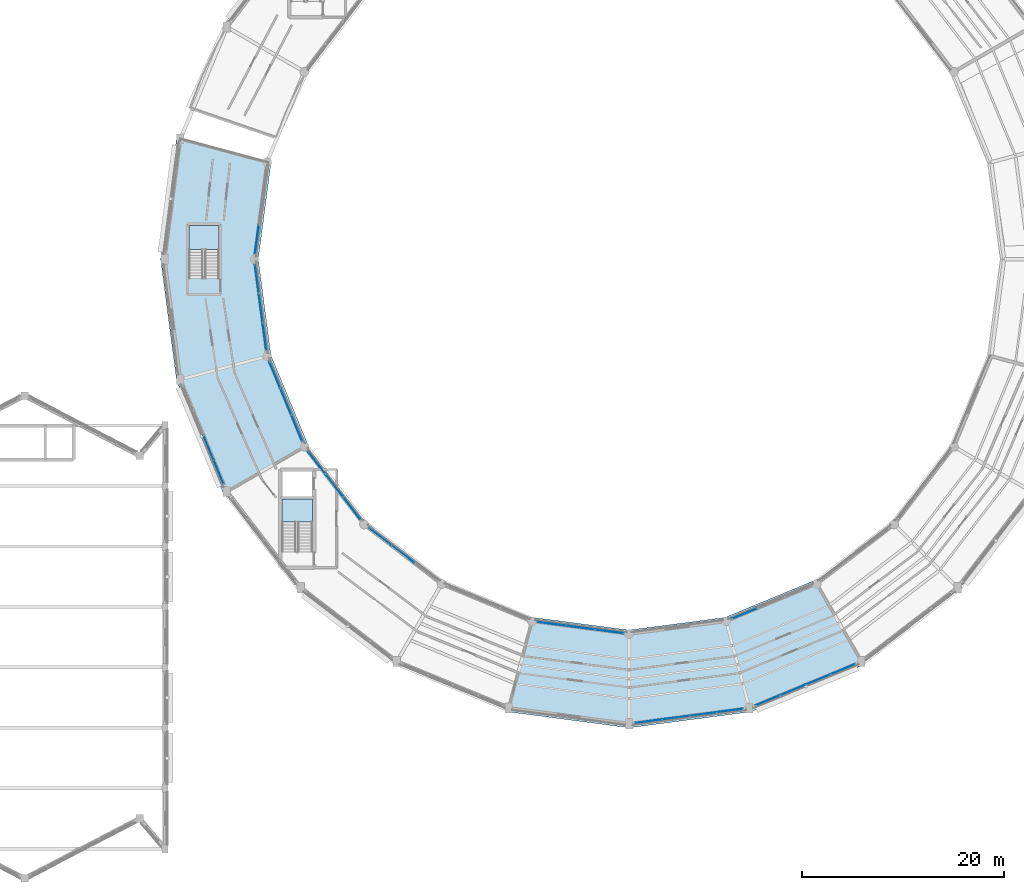
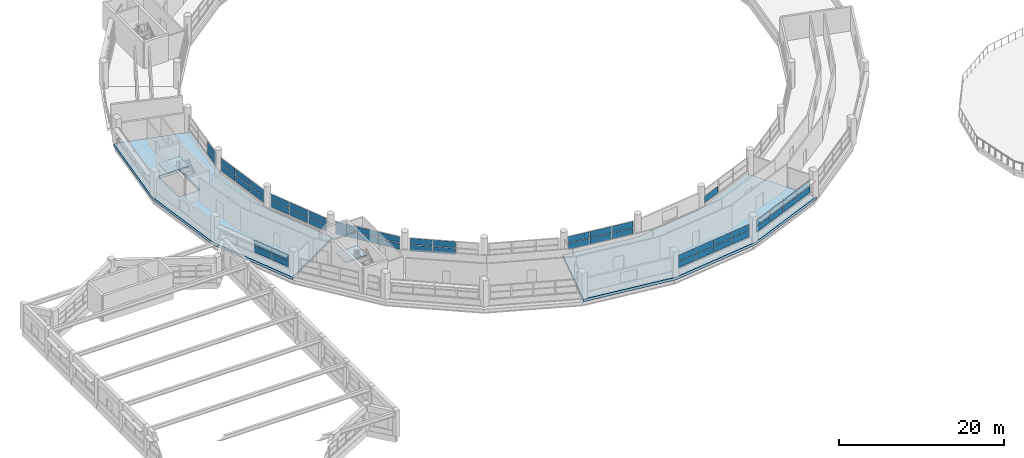
# One storey, part 85 of 108: 51 plates, 4 slabs, 12 elements without a shape of their own.
"""IFC4 building model written with IfcOpenShell, lengths in metres."""

from ifc_helpers import new_model, si_unit, direction, frame, origin, origin_2d, place, context, subcontext, project, spatial, polyline, rectangle, outline, extrude, material, layer, layer_set, type_object, element, aggregate, save


model = new_model("IFC4")

# Units and contexts
model_context = context("Model", 3, precision=1e-05, world=origin(), true_north=direction((0.0, 1.0)))
body_context = subcontext(model_context, "Body", "Model", "MODEL_VIEW")
ifc_project = project(units=[si_unit("LENGTHUNIT", "METRE"), si_unit("AREAUNIT", "SQUARE_METRE"), si_unit("VOLUMEUNIT", "CUBIC_METRE"), si_unit("PLANEANGLEUNIT", "RADIAN"), si_unit("MASSUNIT", "GRAM", prefix="KILO")], contexts=[model_context])

# Site, building, storey
site_placement = place(None, origin())
site = spatial("IfcSite", under=ifc_project, at=site_placement, CompositionType="ELEMENT")
building_placement = place(site_placement, origin())
building = spatial("IfcBuilding", under=site, at=building_placement, Name="Vespera Passage Community Centre", CompositionType="ELEMENT")
storey_placement = place(building_placement, frame((0.0, 0.0, 12.60009765625)))
storey = spatial("IfcBuildingStorey", under=building, at=storey_placement, Name="L03", CompositionType="ELEMENT", Elevation=12.60009765625)

# Curtain wall, plates
ifc_material_1 = material(Name="Anodized aluminium 6063-T6", Category="aluminium")
ifc_layer_1 = layer(ifc_material_1, 0.159912109375)
ifc_layer_set_1 = layer_set([ifc_layer_1], Name="Anodized aluminium 6063-T6")
curtain_wall_type_1 = type_object("IfcCurtainWallType", Name="CW-48E", PredefinedType="NOTDEFINED", material=ifc_layer_set_1)
curtain_wall_1_placement = place(storey_placement, origin())
curtain_wall_1 = element("IfcCurtainWall", 1, at=curtain_wall_1_placement, inside=storey, type_object=curtain_wall_type_1, Name="V4 L03 Inner Court Curtain Wall 12", PredefinedType="NOTDEFINED")
ifc_material_2 = material(Name="Low-E insulated vision glass", Category="glass")
ifc_layer_2 = layer(ifc_material_2, 0.02001953125)
ifc_layer_set_2 = layer_set([ifc_layer_2], Name="Low-E insulated vision glass")
plate_type_1 = type_object("IfcPlateType", Name="PL-CWP-20E", PredefinedType="CURTAIN_PANEL", material=ifc_layer_set_2)
plate_1_placement = place(storey_placement, frame((41.058837890625, 63.53466796875, 0.919921875), z_axis=(0.0, 0.0, 1.0), x_axis=(0.1305221941, -0.991445387728, 0.0)))
plate_1 = element("IfcPlate", 2, at=plate_1_placement, type_object=plate_type_1, Name="CW-48E panel 1.1", PredefinedType="CURTAIN_PANEL", context=body_context, shape_type="SweptSolid", body=[
    extrude(rectangle(XDim=2.779541015625, YDim=0.02001953125, at=origin_2d()), origin(), (0.0, 0.0, 1.0), 0.874755859375),
])
plate_2_placement = place(storey_placement, frame((41.058837890625, 63.53466796875, 1.89453125), z_axis=(0.0, 0.0, 1.0), x_axis=(0.1305221941, -0.991445387728, 0.0)))
plate_2 = element("IfcPlate", 3, at=plate_2_placement, type_object=plate_type_1, Name="CW-48E panel 1.2", PredefinedType="CURTAIN_PANEL", context=body_context, shape_type="SweptSolid", body=[
    extrude(rectangle(XDim=2.779541015625, YDim=0.02001953125, at=origin_2d()), origin(), (0.0, 0.0, 1.0), 0.874755859375),
])
plate_3_placement = place(storey_placement, frame((41.433837890625, 60.68603515625, 0.919921875), z_axis=(0.0, 0.0, 1.0), x_axis=(0.1305221941, -0.991445387728, 0.0)))
plate_3 = element("IfcPlate", 4, at=plate_3_placement, type_object=plate_type_1, Name="CW-48E panel 2.1", PredefinedType="CURTAIN_PANEL", context=body_context, shape_type="SweptSolid", body=[
    extrude(rectangle(XDim=2.81689453125, YDim=0.02001953125, at=origin_2d()), origin(), (0.0, 0.0, 1.0), 0.874755859375),
])
plate_4_placement = place(storey_placement, frame((41.433837890625, 60.68603515625, 1.89453125), z_axis=(0.0, 0.0, 1.0), x_axis=(0.1305221941, -0.991445387728, 0.0)))
plate_4 = element("IfcPlate", 5, at=plate_4_placement, type_object=plate_type_1, Name="CW-48E panel 2.2", PredefinedType="CURTAIN_PANEL", context=body_context, shape_type="SweptSolid", body=[
    extrude(rectangle(XDim=2.81689453125, YDim=0.02001953125, at=origin_2d()), origin(), (0.0, 0.0, 1.0), 0.874755859375),
])
plate_5_placement = place(storey_placement, frame((41.808837890625, 57.83740234375, 0.919921875), z_axis=(0.0, 0.0, 1.0), x_axis=(0.1305221941, -0.991445387728, 0.0)))
plate_5 = element("IfcPlate", 6, at=plate_5_placement, type_object=plate_type_1, Name="CW-48E panel 3.1", PredefinedType="CURTAIN_PANEL", context=body_context, shape_type="SweptSolid", body=[
    extrude(rectangle(XDim=2.779541015625, YDim=0.02001953125, at=origin_2d()), origin(), (0.0, 0.0, 1.0), 0.874755859375),
])
plate_6_placement = place(storey_placement, frame((41.808837890625, 57.83740234375, 1.89453125), z_axis=(0.0, 0.0, 1.0), x_axis=(0.1305221941, -0.991445387728, 0.0)))
plate_6 = element("IfcPlate", 7, at=plate_6_placement, type_object=plate_type_1, Name="CW-48E panel 3.2", PredefinedType="CURTAIN_PANEL", context=body_context, shape_type="SweptSolid", body=[
    extrude(rectangle(XDim=2.779541015625, YDim=0.02001953125, at=origin_2d()), origin(), (0.0, 0.0, 1.0), 0.874755859375),
])
aggregate(curtain_wall_1, [plate_1, plate_2, plate_3, plate_4, plate_5, plate_6])

ifc_material_3 = material(Name="Anodized aluminium 6063-T6", Category="aluminium")
ifc_layer_3 = layer(ifc_material_3, 0.159912109375)
ifc_layer_set_3 = layer_set([ifc_layer_3], Name="Anodized aluminium 6063-T6")
curtain_wall_type_2 = type_object("IfcCurtainWallType", Name="CW-38E", PredefinedType="NOTDEFINED", material=ifc_layer_set_3)
curtain_wall_2_placement = place(storey_placement, origin())
curtain_wall_2 = element("IfcCurtainWall", 8, at=curtain_wall_2_placement, inside=storey, type_object=curtain_wall_type_2, Name="V4 L03 Inner Court Curtain Wall 15", PredefinedType="NOTDEFINED")
plate_7_placement = place(storey_placement, frame((53.308349609375, 37.958251953125, 0.8798828125), z_axis=(0.0, 0.0, 1.0), x_axis=(0.793358205999, -0.608755087843, 0.0)))
plate_7 = element("IfcPlate", 9, at=plate_7_placement, type_object=plate_type_1, Name="CW-38E panel 1.1", PredefinedType="CURTAIN_PANEL", context=body_context, shape_type="SweptSolid", body=[
    extrude(rectangle(XDim=2.72900390625, YDim=0.02001953125, at=origin_2d()), origin(), (0.0, 0.0, 1.0), 0.934814453125),
])
plate_8_placement = place(storey_placement, frame((53.308349609375, 37.958251953125, 1.87451171875), z_axis=(0.0, 0.0, 1.0), x_axis=(0.793358205999, -0.608755087843, 0.0)))
plate_8 = element("IfcPlate", 10, at=plate_8_placement, type_object=plate_type_1, Name="CW-38E panel 1.2", PredefinedType="CURTAIN_PANEL", context=body_context, shape_type="SweptSolid", body=[
    extrude(rectangle(XDim=2.72900390625, YDim=0.02001953125, at=origin_2d()), origin(), (0.0, 0.0, 1.0), 0.934814453125),
])
plate_9_placement = place(storey_placement, frame((55.5478515625, 36.23974609375, 0.8798828125), z_axis=(0.0, 0.0, 1.0), x_axis=(0.793358205999, -0.608755087843, 0.0)))
plate_9 = element("IfcPlate", 11, at=plate_9_placement, type_object=plate_type_1, Name="CW-38E panel 2.1", PredefinedType="CURTAIN_PANEL", context=body_context, shape_type="SweptSolid", body=[
    extrude(rectangle(XDim=2.7666015625, YDim=0.02001953125, at=origin_2d()), origin(), (0.0, 0.0, 1.0), 0.934814453125),
])
plate_10_placement = place(storey_placement, frame((55.5478515625, 36.23974609375, 1.87451171875), z_axis=(0.0, 0.0, 1.0), x_axis=(0.793358205999, -0.608755087843, 0.0)))
plate_10 = element("IfcPlate", 12, at=plate_10_placement, type_object=plate_type_1, Name="CW-38E panel 2.2", PredefinedType="CURTAIN_PANEL", context=body_context, shape_type="SweptSolid", body=[
    extrude(rectangle(XDim=2.7666015625, YDim=0.02001953125, at=origin_2d()), origin(), (0.0, 0.0, 1.0), 0.934814453125),
])
aggregate(curtain_wall_2, [plate_7, plate_8, plate_9, plate_10])

ifc_material_4 = material(Name="Anodized aluminium 6063-T6", Category="aluminium")
ifc_layer_4 = layer(ifc_material_4, 0.159912109375)
ifc_layer_set_4 = layer_set([ifc_layer_4], Name="Anodized aluminium 6063-T6")
curtain_wall_type_3 = type_object("IfcCurtainWallType", Name="CW-43E", PredefinedType="NOTDEFINED", material=ifc_layer_set_4)
curtain_wall_3_placement = place(storey_placement, origin())
curtain_wall_3 = element("IfcCurtainWall", 13, at=curtain_wall_3_placement, inside=storey, type_object=curtain_wall_type_3, Name="V4 L03 Outer Ribbon Curtain Wall 18", PredefinedType="NOTDEFINED")
plate_11_placement = place(storey_placement, frame((87.98291015625, 20.71435546875, 0.8798828125), z_axis=(0.0, 0.0, 1.0), x_axis=(-0.991444252276, -0.130530818696, 0.0)))
plate_11 = element("IfcPlate", 14, at=plate_11_placement, type_object=plate_type_1, Name="CW-43E panel 1.1", PredefinedType="CURTAIN_PANEL", context=body_context, shape_type="SweptSolid", body=[
    extrude(rectangle(XDim=2.614501953125, YDim=0.02001953125, at=origin_2d()), origin(), (0.0, 0.0, 1.0), 0.892822265625),
])
plate_12_placement = place(storey_placement, frame((87.98291015625, 20.71435546875, 1.83251953125), z_axis=(0.0, 0.0, 1.0), x_axis=(-0.991444252276, -0.130530818696, 0.0)))
plate_12 = element("IfcPlate", 15, at=plate_12_placement, type_object=plate_type_1, Name="CW-43E panel 1.2", PredefinedType="CURTAIN_PANEL", context=body_context, shape_type="SweptSolid", body=[
    extrude(rectangle(XDim=2.614501953125, YDim=0.02001953125, at=origin_2d()), origin(), (0.0, 0.0, 1.0), 0.892822265625),
])
plate_13_placement = place(storey_placement, frame((85.310302734375, 20.3623046875, 0.8798828125), z_axis=(0.0, 0.0, 1.0), x_axis=(-0.991444252276, -0.130530818696, 0.0)))
plate_13 = element("IfcPlate", 16, at=plate_13_placement, type_object=plate_type_1, Name="CW-43E panel 2.1", PredefinedType="CURTAIN_PANEL", context=body_context, shape_type="SweptSolid", body=[
    extrude(rectangle(XDim=2.64697265625, YDim=0.02001953125, at=origin_2d()), origin(), (0.0, 0.0, 1.0), 0.892822265625),
])
plate_14_placement = place(storey_placement, frame((85.310302734375, 20.3623046875, 1.83251953125), z_axis=(0.0, 0.0, 1.0), x_axis=(-0.991444252276, -0.130530818696, 0.0)))
plate_14 = element("IfcPlate", 17, at=plate_14_placement, type_object=plate_type_1, Name="CW-43E panel 2.2", PredefinedType="CURTAIN_PANEL", context=body_context, shape_type="SweptSolid", body=[
    extrude(rectangle(XDim=2.64697265625, YDim=0.02001953125, at=origin_2d()), origin(), (0.0, 0.0, 1.0), 0.892822265625),
])
plate_15_placement = place(storey_placement, frame((82.621337890625, 20.00830078125, 0.8798828125), z_axis=(0.0, 0.0, 1.0), x_axis=(-0.991444252276, -0.130530818696, 0.0)))
plate_15 = element("IfcPlate", 18, at=plate_15_placement, type_object=plate_type_1, Name="CW-43E panel 3.1", PredefinedType="CURTAIN_PANEL", context=body_context, shape_type="SweptSolid", body=[
    extrude(rectangle(XDim=2.64697265625, YDim=0.02001953125, at=origin_2d()), origin(), (0.0, 0.0, 1.0), 0.892822265625),
])
plate_16_placement = place(storey_placement, frame((82.621337890625, 20.00830078125, 1.83251953125), z_axis=(0.0, 0.0, 1.0), x_axis=(-0.991444252276, -0.130530818696, 0.0)))
plate_16 = element("IfcPlate", 19, at=plate_16_placement, type_object=plate_type_1, Name="CW-43E panel 3.2", PredefinedType="CURTAIN_PANEL", context=body_context, shape_type="SweptSolid", body=[
    extrude(rectangle(XDim=2.64697265625, YDim=0.02001953125, at=origin_2d()), origin(), (0.0, 0.0, 1.0), 0.892822265625),
])
plate_17_placement = place(storey_placement, frame((79.94873046875, 19.656494140625, 0.8798828125), z_axis=(0.0, 0.0, 1.0), x_axis=(-0.991444252276, -0.130530818696, 0.0)))
plate_17 = element("IfcPlate", 20, at=plate_17_placement, type_object=plate_type_1, Name="CW-43E panel 4.1", PredefinedType="CURTAIN_PANEL", context=body_context, shape_type="SweptSolid", body=[
    extrude(rectangle(XDim=2.614501953125, YDim=0.02001953125, at=origin_2d()), origin(), (0.0, 0.0, 1.0), 0.892822265625),
])
plate_18_placement = place(storey_placement, frame((79.94873046875, 19.656494140625, 1.83251953125), z_axis=(0.0, 0.0, 1.0), x_axis=(-0.991444252276, -0.130530818696, 0.0)))
plate_18 = element("IfcPlate", 21, at=plate_18_placement, type_object=plate_type_1, Name="CW-43E panel 4.2", PredefinedType="CURTAIN_PANEL", context=body_context, shape_type="SweptSolid", body=[
    extrude(rectangle(XDim=2.614501953125, YDim=0.02001953125, at=origin_2d()), origin(), (0.0, 0.0, 1.0), 0.892822265625),
])
aggregate(curtain_wall_3, [plate_11, plate_12, plate_13, plate_14, plate_15, plate_16, plate_17, plate_18])

ifc_material_5 = material(Name="Anodized aluminium 6063-T6", Category="aluminium")
ifc_layer_5 = layer(ifc_material_5, 0.159912109375)
ifc_layer_set_5 = layer_set([ifc_layer_5], Name="Anodized aluminium 6063-T6")
curtain_wall_type_4 = type_object("IfcCurtainWallType", Name="CW-49E", PredefinedType="NOTDEFINED", material=ifc_layer_set_5)
curtain_wall_4_placement = place(storey_placement, origin())
curtain_wall_4 = element("IfcCurtainWall", 22, at=curtain_wall_4_placement, inside=storey, type_object=curtain_wall_type_4, Name="V4 L03 Outer Ribbon Curtain Wall 13", PredefinedType="NOTDEFINED")
ifc_material_6 = material(Name="Low-E insulated vision glass", Category="glass")
ifc_layer_6 = layer(ifc_material_6, 0.028076171875)
ifc_layer_set_6 = layer_set([ifc_layer_6], Name="Low-E insulated vision glass")
plate_type_2 = type_object("IfcPlateType", Name="PL-CWP-28E", PredefinedType="CURTAIN_PANEL", material=ifc_layer_set_6)
plate_19_placement = place(storey_placement, frame((37.2763671875, 44.381103515625, 0.919921875), z_axis=(0.0, 0.0, 1.0), x_axis=(-0.382679142535, 0.923881309405, 0.0)))
plate_19 = element("IfcPlate", 23, at=plate_19_placement, type_object=plate_type_2, Name="CW-49E panel 1.1", PredefinedType="CURTAIN_PANEL", context=body_context, shape_type="SweptSolid", body=[
    extrude(rectangle(XDim=2.51806640625, YDim=0.028076171875, at=origin_2d()), origin(), (0.0, 0.0, 1.0), 0.832763671875),
])
plate_20_placement = place(storey_placement, frame((37.2763671875, 44.381103515625, 1.8525390625), z_axis=(0.0, 0.0, 1.0), x_axis=(-0.382679142535, 0.923881309405, 0.0)))
plate_20 = element("IfcPlate", 24, at=plate_20_placement, type_object=plate_type_2, Name="CW-49E panel 1.2", PredefinedType="CURTAIN_PANEL", context=body_context, shape_type="SweptSolid", body=[
    extrude(rectangle(XDim=2.51806640625, YDim=0.028076171875, at=origin_2d()), origin(), (0.0, 0.0, 1.0), 0.832763671875),
])
plate_21_placement = place(storey_placement, frame((36.27685546875, 46.7939453125, 0.919921875), z_axis=(0.0, 0.0, 1.0), x_axis=(-0.382679142535, 0.923881309405, 0.0)))
plate_21 = element("IfcPlate", 25, at=plate_21_placement, type_object=plate_type_2, Name="CW-49E panel 2.1", PredefinedType="CURTAIN_PANEL", context=body_context, shape_type="SweptSolid", body=[
    extrude(rectangle(XDim=2.555419921875, YDim=0.028076171875, at=origin_2d()), origin(), (0.0, 0.0, 1.0), 0.832763671875),
])
plate_22_placement = place(storey_placement, frame((36.27685546875, 46.7939453125, 1.8525390625), z_axis=(0.0, 0.0, 1.0), x_axis=(-0.382679142535, 0.923881309405, 0.0)))
plate_22 = element("IfcPlate", 26, at=plate_22_placement, type_object=plate_type_2, Name="CW-49E panel 2.2", PredefinedType="CURTAIN_PANEL", context=body_context, shape_type="SweptSolid", body=[
    extrude(rectangle(XDim=2.555419921875, YDim=0.028076171875, at=origin_2d()), origin(), (0.0, 0.0, 1.0), 0.832763671875),
])
aggregate(curtain_wall_4, [plate_19, plate_20, plate_21, plate_22])

ifc_material_7 = material(Name="Anodized aluminium 6063-T6", Category="aluminium")
ifc_layer_7 = layer(ifc_material_7, 0.159912109375)
ifc_layer_set_7 = layer_set([ifc_layer_7], Name="Anodized aluminium 6063-T6")
curtain_wall_type_5 = type_object("IfcCurtainWallType", Name="CW-40E", PredefinedType="NOTDEFINED", material=ifc_layer_set_7)
curtain_wall_5_placement = place(storey_placement, origin())
curtain_wall_5 = element("IfcCurtainWall", 27, at=curtain_wall_5_placement, inside=storey, type_object=curtain_wall_type_5, Name="V4 L03 Inner Court Curtain Wall 13", PredefinedType="NOTDEFINED")
plate_23_placement = place(storey_placement, frame((42.831787109375, 54.02685546875, 0.8798828125), z_axis=(0.0, 0.0, 1.0), x_axis=(0.382690463482, -0.923876620096, 0.0)))
plate_23 = element("IfcPlate", 28, at=plate_23_placement, type_object=plate_type_2, Name="CW-40E panel 1.1", PredefinedType="CURTAIN_PANEL", context=body_context, shape_type="SweptSolid", body=[
    extrude(rectangle(XDim=2.7646484375, YDim=0.028076171875, at=origin_2d()), origin(), (0.0, 0.0, 1.0), 0.934814453125),
])
plate_24_placement = place(storey_placement, frame((42.831787109375, 54.02685546875, 1.87451171875), z_axis=(0.0, 0.0, 1.0), x_axis=(0.382690463482, -0.923876620096, 0.0)))
plate_24 = element("IfcPlate", 29, at=plate_24_placement, type_object=plate_type_2, Name="CW-40E panel 1.2", PredefinedType="CURTAIN_PANEL", context=body_context, shape_type="SweptSolid", body=[
    extrude(rectangle(XDim=2.7646484375, YDim=0.028076171875, at=origin_2d()), origin(), (0.0, 0.0, 1.0), 0.934814453125),
])
plate_25_placement = place(storey_placement, frame((43.92578125, 51.385986328125, 0.8798828125), z_axis=(0.0, 0.0, 1.0), x_axis=(0.382690463482, -0.923876620096, 0.0)))
plate_25 = element("IfcPlate", 30, at=plate_25_placement, type_object=plate_type_2, Name="CW-40E panel 2.1", PredefinedType="CURTAIN_PANEL", context=body_context, shape_type="SweptSolid", body=[
    extrude(rectangle(XDim=2.80224609375, YDim=0.028076171875, at=origin_2d()), origin(), (0.0, 0.0, 1.0), 0.934814453125),
])
plate_26_placement = place(storey_placement, frame((43.92578125, 51.385986328125, 1.87451171875), z_axis=(0.0, 0.0, 1.0), x_axis=(0.382690463482, -0.923876620096, 0.0)))
plate_26 = element("IfcPlate", 31, at=plate_26_placement, type_object=plate_type_2, Name="CW-40E panel 2.2", PredefinedType="CURTAIN_PANEL", context=body_context, shape_type="SweptSolid", body=[
    extrude(rectangle(XDim=2.80224609375, YDim=0.028076171875, at=origin_2d()), origin(), (0.0, 0.0, 1.0), 0.934814453125),
])
plate_27_placement = place(storey_placement, frame((45.019775390625, 48.7451171875, 0.8798828125), z_axis=(0.0, 0.0, 1.0), x_axis=(0.382690463482, -0.923876620096, 0.0)))
plate_27 = element("IfcPlate", 32, at=plate_27_placement, type_object=plate_type_2, Name="CW-40E panel 3.1", PredefinedType="CURTAIN_PANEL", context=body_context, shape_type="SweptSolid", body=[
    extrude(rectangle(XDim=2.7646484375, YDim=0.028076171875, at=origin_2d()), origin(), (0.0, 0.0, 1.0), 0.934814453125),
])
plate_28_placement = place(storey_placement, frame((45.019775390625, 48.7451171875, 1.87451171875), z_axis=(0.0, 0.0, 1.0), x_axis=(0.382690463482, -0.923876620096, 0.0)))
plate_28 = element("IfcPlate", 33, at=plate_28_placement, type_object=plate_type_2, Name="CW-40E panel 3.2", PredefinedType="CURTAIN_PANEL", context=body_context, shape_type="SweptSolid", body=[
    extrude(rectangle(XDim=2.7646484375, YDim=0.028076171875, at=origin_2d()), origin(), (0.0, 0.0, 1.0), 0.934814453125),
])
aggregate(curtain_wall_5, [plate_23, plate_24, plate_25, plate_26, plate_27, plate_28])

ifc_material_8 = material(Name="Anodized aluminium 6063-T6", Category="aluminium")
ifc_layer_8 = layer(ifc_material_8, 0.159912109375)
ifc_layer_set_8 = layer_set([ifc_layer_8], Name="Anodized aluminium 6063-T6")
curtain_wall_type_6 = type_object("IfcCurtainWallType", Name="CW-39E", PredefinedType="NOTDEFINED", material=ifc_layer_set_8)
curtain_wall_6_placement = place(storey_placement, origin())
curtain_wall_6 = element("IfcCurtainWall", 34, at=curtain_wall_6_placement, inside=storey, type_object=curtain_wall_type_6, Name="V4 L03 Outer Ribbon Curtain Wall 19", PredefinedType="NOTDEFINED")
plate_29_placement = place(storey_placement, frame((99.212646484375, 24.815185546875, 0.919921875), z_axis=(0.0, 0.0, 1.0), x_axis=(-0.923879738007, -0.382682936255, 0.0)))
plate_29 = element("IfcPlate", 35, at=plate_29_placement, type_object=plate_type_2, Name="CW-39E panel 1.1", PredefinedType="CURTAIN_PANEL", context=body_context, shape_type="SweptSolid", body=[
    extrude(rectangle(XDim=2.585693359375, YDim=0.028076171875, at=origin_2d()), origin(), (0.0, 0.0, 1.0), 0.832763671875),
])
plate_30_placement = place(storey_placement, frame((99.212646484375, 24.815185546875, 1.8525390625), z_axis=(0.0, 0.0, 1.0), x_axis=(-0.923879738007, -0.382682936255, 0.0)))
plate_30 = element("IfcPlate", 36, at=plate_30_placement, type_object=plate_type_2, Name="CW-39E panel 1.2", PredefinedType="CURTAIN_PANEL", context=body_context, shape_type="SweptSolid", body=[
    extrude(rectangle(XDim=2.585693359375, YDim=0.028076171875, at=origin_2d()), origin(), (0.0, 0.0, 1.0), 0.832763671875),
])
plate_31_placement = place(storey_placement, frame((96.7373046875, 23.789794921875, 0.919921875), z_axis=(0.0, 0.0, 1.0), x_axis=(-0.923879738007, -0.382682936255, 0.0)))
plate_31 = element("IfcPlate", 37, at=plate_31_placement, type_object=plate_type_2, Name="CW-39E panel 2.1", PredefinedType="CURTAIN_PANEL", context=body_context, shape_type="SweptSolid", body=[
    extrude(rectangle(XDim=2.623291015625, YDim=0.028076171875, at=origin_2d()), origin(), (0.0, 0.0, 1.0), 0.832763671875),
])
plate_32_placement = place(storey_placement, frame((96.7373046875, 23.789794921875, 1.8525390625), z_axis=(0.0, 0.0, 1.0), x_axis=(-0.923879738007, -0.382682936255, 0.0)))
plate_32 = element("IfcPlate", 38, at=plate_32_placement, type_object=plate_type_2, Name="CW-39E panel 2.2", PredefinedType="CURTAIN_PANEL", context=body_context, shape_type="SweptSolid", body=[
    extrude(rectangle(XDim=2.623291015625, YDim=0.028076171875, at=origin_2d()), origin(), (0.0, 0.0, 1.0), 0.832763671875),
])
plate_33_placement = place(storey_placement, frame((94.244384765625, 22.75732421875, 0.919921875), z_axis=(0.0, 0.0, 1.0), x_axis=(-0.923879738007, -0.382682936255, 0.0)))
plate_33 = element("IfcPlate", 39, at=plate_33_placement, type_object=plate_type_2, Name="CW-39E panel 3.1", PredefinedType="CURTAIN_PANEL", context=body_context, shape_type="SweptSolid", body=[
    extrude(rectangle(XDim=2.623291015625, YDim=0.028076171875, at=origin_2d()), origin(), (0.0, 0.0, 1.0), 0.832763671875),
])
plate_34_placement = place(storey_placement, frame((94.244384765625, 22.75732421875, 1.8525390625), z_axis=(0.0, 0.0, 1.0), x_axis=(-0.923879738007, -0.382682936255, 0.0)))
plate_34 = element("IfcPlate", 40, at=plate_34_placement, type_object=plate_type_2, Name="CW-39E panel 3.2", PredefinedType="CURTAIN_PANEL", context=body_context, shape_type="SweptSolid", body=[
    extrude(rectangle(XDim=2.623291015625, YDim=0.028076171875, at=origin_2d()), origin(), (0.0, 0.0, 1.0), 0.832763671875),
])
plate_35_placement = place(storey_placement, frame((91.76904296875, 21.73193359375, 0.919921875), z_axis=(0.0, 0.0, 1.0), x_axis=(-0.923879738007, -0.382682936255, 0.0)))
plate_35 = element("IfcPlate", 41, at=plate_35_placement, type_object=plate_type_2, Name="CW-39E panel 4.1", PredefinedType="CURTAIN_PANEL", context=body_context, shape_type="SweptSolid", body=[
    extrude(rectangle(XDim=2.585693359375, YDim=0.028076171875, at=origin_2d()), origin(), (0.0, 0.0, 1.0), 0.832763671875),
])
plate_36_placement = place(storey_placement, frame((91.76904296875, 21.73193359375, 1.8525390625), z_axis=(0.0, 0.0, 1.0), x_axis=(-0.923879738007, -0.382682936255, 0.0)))
plate_36 = element("IfcPlate", 42, at=plate_36_placement, type_object=plate_type_2, Name="CW-39E panel 4.2", PredefinedType="CURTAIN_PANEL", context=body_context, shape_type="SweptSolid", body=[
    extrude(rectangle(XDim=2.585693359375, YDim=0.028076171875, at=origin_2d()), origin(), (0.0, 0.0, 1.0), 0.832763671875),
])
aggregate(curtain_wall_6, [plate_29, plate_30, plate_31, plate_32, plate_33, plate_34, plate_35, plate_36])

# Curtain wall, plate
curtain_wall_7_placement = place(storey_placement, origin())
curtain_wall_7 = element("IfcCurtainWall", 43, at=curtain_wall_7_placement, inside=storey, type_object=curtain_wall_type_5, Name="V4 L03 Inner Court Curtain Wall 19", PredefinedType="NOTDEFINED")
plate_37_placement = place(storey_placement, frame((89.47314453125, 30.331787109375, 0.8798828125), z_axis=(0.0, 0.0, 1.0), x_axis=(0.923876620096, 0.382690463482, 0.0)))
plate_37 = element("IfcPlate", 44, at=plate_37_placement, type_object=plate_type_2, Name="CW-40E panel 1.1", PredefinedType="CURTAIN_PANEL", context=body_context, shape_type="SweptSolid", body=[
    extrude(rectangle(XDim=2.7646484375, YDim=0.028076171875, at=origin_2d()), origin(), (0.0, 0.0, 1.0), 0.934814453125),
])
aggregate(curtain_wall_7, [plate_37])

# Curtain wall, plates
ifc_material_9 = material(Name="Anodized aluminium 6063-T6", Category="aluminium")
ifc_layer_9 = layer(ifc_material_9, 0.159912109375)
ifc_layer_set_9 = layer_set([ifc_layer_9], Name="Anodized aluminium 6063-T6")
curtain_wall_type_7 = type_object("IfcCurtainWallType", Name="CW-42E", PredefinedType="NOTDEFINED", material=ifc_layer_set_9)
curtain_wall_8_placement = place(storey_placement, origin())
curtain_wall_8 = element("IfcCurtainWall", 45, at=curtain_wall_8_placement, inside=storey, type_object=curtain_wall_type_7, Name="V4 L03 Inner Court Curtain Wall 11", PredefinedType="NOTDEFINED")
ifc_material_10 = material(Name="Acoustic triple-glazed vision glass", Category="glass")
ifc_layer_10 = layer(ifc_material_10, 0.035888671875)
ifc_layer_set_10 = layer_set([ifc_layer_10], Name="Acoustic triple-glazed vision glass")
plate_type_3 = type_object("IfcPlateType", Name="PL-CWP-36E", PredefinedType="CURTAIN_PANEL", material=ifc_layer_set_10)
plate_38_placement = place(storey_placement, frame((41.058349609375, 67.462890625, 0.8798828125), z_axis=(0.0, 0.0, 1.0), x_axis=(-0.1305221941, -0.991445387728, 0.0)))
plate_38 = element("IfcPlate", 46, at=plate_38_placement, type_object=plate_type_3, Name="CW-42E panel 3.1", PredefinedType="CURTAIN_PANEL", context=body_context, shape_type="SweptSolid", body=[
    extrude(rectangle(XDim=2.79443359375, YDim=0.035888671875, at=origin_2d()), origin(), (0.0, 0.0, 1.0), 0.934814453125),
])
plate_39_placement = place(storey_placement, frame((41.058349609375, 67.462890625, 1.87451171875), z_axis=(0.0, 0.0, 1.0), x_axis=(-0.1305221941, -0.991445387728, 0.0)))
plate_39 = element("IfcPlate", 47, at=plate_39_placement, type_object=plate_type_3, Name="CW-42E panel 3.2", PredefinedType="CURTAIN_PANEL", context=body_context, shape_type="SweptSolid", body=[
    extrude(rectangle(XDim=2.79443359375, YDim=0.035888671875, at=origin_2d()), origin(), (0.0, 0.0, 1.0), 0.934814453125),
])
aggregate(curtain_wall_8, [plate_38, plate_39])

ifc_material_11 = material(Name="Anodized aluminium 6063-T6", Category="aluminium")
ifc_layer_11 = layer(ifc_material_11, 0.159912109375)
ifc_layer_set_11 = layer_set([ifc_layer_11], Name="Anodized aluminium 6063-T6")
curtain_wall_type_8 = type_object("IfcCurtainWallType", Name="CW-45E", PredefinedType="NOTDEFINED", material=ifc_layer_set_11)
curtain_wall_9_placement = place(storey_placement, origin())
curtain_wall_9 = element("IfcCurtainWall", 48, at=curtain_wall_9_placement, inside=storey, type_object=curtain_wall_type_8, Name="V4 L03 Inner Court Curtain Wall 14", PredefinedType="NOTDEFINED")
plate_40_placement = place(storey_placement, frame((47.019775390625, 45.289306640625, 0.919921875), z_axis=(0.0, 0.0, 1.0), x_axis=(0.608755087843, -0.793358205999, 0.0)))
plate_40 = element("IfcPlate", 49, at=plate_40_placement, type_object=plate_type_3, Name="CW-45E panel 1.1", PredefinedType="CURTAIN_PANEL", context=body_context, shape_type="SweptSolid", body=[
    extrude(rectangle(XDim=2.744140625, YDim=0.035888671875, at=origin_2d()), origin(), (0.0, 0.0, 1.0), 0.874755859375),
])
plate_41_placement = place(storey_placement, frame((47.019775390625, 45.289306640625, 1.89453125), z_axis=(0.0, 0.0, 1.0), x_axis=(0.608755087843, -0.793358205999, 0.0)))
plate_41 = element("IfcPlate", 50, at=plate_41_placement, type_object=plate_type_3, Name="CW-45E panel 1.2", PredefinedType="CURTAIN_PANEL", context=body_context, shape_type="SweptSolid", body=[
    extrude(rectangle(XDim=2.744140625, YDim=0.035888671875, at=origin_2d()), origin(), (0.0, 0.0, 1.0), 0.874755859375),
])
plate_42_placement = place(storey_placement, frame((48.73974609375, 43.0478515625, 0.919921875), z_axis=(0.0, 0.0, 1.0), x_axis=(0.608755087843, -0.793358205999, 0.0)))
plate_42 = element("IfcPlate", 51, at=plate_42_placement, type_object=plate_type_3, Name="CW-45E panel 2.1", PredefinedType="CURTAIN_PANEL", context=body_context, shape_type="SweptSolid", body=[
    extrude(rectangle(XDim=2.776611328125, YDim=0.035888671875, at=origin_2d()), origin(), (0.0, 0.0, 1.0), 0.874755859375),
])
plate_43_placement = place(storey_placement, frame((48.73974609375, 43.0478515625, 1.89453125), z_axis=(0.0, 0.0, 1.0), x_axis=(0.608755087843, -0.793358205999, 0.0)))
plate_43 = element("IfcPlate", 52, at=plate_43_placement, type_object=plate_type_3, Name="CW-45E panel 2.2", PredefinedType="CURTAIN_PANEL", context=body_context, shape_type="SweptSolid", body=[
    extrude(rectangle(XDim=2.776611328125, YDim=0.035888671875, at=origin_2d()), origin(), (0.0, 0.0, 1.0), 0.874755859375),
])
plate_44_placement = place(storey_placement, frame((50.459716796875, 40.806396484375, 0.919921875), z_axis=(0.0, 0.0, 1.0), x_axis=(0.608755087843, -0.793358205999, 0.0)))
plate_44 = element("IfcPlate", 53, at=plate_44_placement, type_object=plate_type_3, Name="CW-45E panel 3.1", PredefinedType="CURTAIN_PANEL", context=body_context, shape_type="SweptSolid", body=[
    extrude(rectangle(XDim=2.744140625, YDim=0.035888671875, at=origin_2d()), origin(), (0.0, 0.0, 1.0), 0.874755859375),
])
plate_45_placement = place(storey_placement, frame((50.459716796875, 40.806396484375, 1.89453125), z_axis=(0.0, 0.0, 1.0), x_axis=(0.608755087843, -0.793358205999, 0.0)))
plate_45 = element("IfcPlate", 54, at=plate_45_placement, type_object=plate_type_3, Name="CW-45E panel 3.2", PredefinedType="CURTAIN_PANEL", context=body_context, shape_type="SweptSolid", body=[
    extrude(rectangle(XDim=2.744140625, YDim=0.035888671875, at=origin_2d()), origin(), (0.0, 0.0, 1.0), 0.874755859375),
])
aggregate(curtain_wall_9, [plate_40, plate_41, plate_42, plate_43, plate_44, plate_45])

curtain_wall_10_placement = place(storey_placement, origin())
curtain_wall_10 = element("IfcCurtainWall", 55, at=curtain_wall_10_placement, inside=storey, type_object=curtain_wall_type_7, Name="V4 L03 Inner Court Curtain Wall 17", PredefinedType="NOTDEFINED")
plate_46_placement = place(storey_placement, frame((70.334716796875, 29.30908203125, 0.8798828125), z_axis=(0.0, 0.0, 1.0), x_axis=(0.991445387728, -0.1305221941, 0.0)))
plate_46 = element("IfcPlate", 56, at=plate_46_placement, type_object=plate_type_3, Name="CW-42E panel 1.1", PredefinedType="CURTAIN_PANEL", context=body_context, shape_type="SweptSolid", body=[
    extrude(rectangle(XDim=2.79443359375, YDim=0.035888671875, at=origin_2d()), origin(), (0.0, 0.0, 1.0), 0.934814453125),
])
plate_47_placement = place(storey_placement, frame((70.334716796875, 29.30908203125, 1.87451171875), z_axis=(0.0, 0.0, 1.0), x_axis=(0.991445387728, -0.1305221941, 0.0)))
plate_47 = element("IfcPlate", 57, at=plate_47_placement, type_object=plate_type_3, Name="CW-42E panel 1.2", PredefinedType="CURTAIN_PANEL", context=body_context, shape_type="SweptSolid", body=[
    extrude(rectangle(XDim=2.79443359375, YDim=0.035888671875, at=origin_2d()), origin(), (0.0, 0.0, 1.0), 0.934814453125),
])
plate_48_placement = place(storey_placement, frame((73.18603515625, 28.933837890625, 0.8798828125), z_axis=(0.0, 0.0, 1.0), x_axis=(0.991445387728, -0.1305221941, 0.0)))
plate_48 = element("IfcPlate", 58, at=plate_48_placement, type_object=plate_type_3, Name="CW-42E panel 2.1", PredefinedType="CURTAIN_PANEL", context=body_context, shape_type="SweptSolid", body=[
    extrude(rectangle(XDim=2.826904296875, YDim=0.035888671875, at=origin_2d()), origin(), (0.0, 0.0, 1.0), 0.934814453125),
])
plate_49_placement = place(storey_placement, frame((73.18603515625, 28.933837890625, 1.87451171875), z_axis=(0.0, 0.0, 1.0), x_axis=(0.991445387728, -0.1305221941, 0.0)))
plate_49 = element("IfcPlate", 59, at=plate_49_placement, type_object=plate_type_3, Name="CW-42E panel 2.2", PredefinedType="CURTAIN_PANEL", context=body_context, shape_type="SweptSolid", body=[
    extrude(rectangle(XDim=2.826904296875, YDim=0.035888671875, at=origin_2d()), origin(), (0.0, 0.0, 1.0), 0.934814453125),
])
plate_50_placement = place(storey_placement, frame((76.037109375, 28.558349609375, 0.8798828125), z_axis=(0.0, 0.0, 1.0), x_axis=(0.991445387728, -0.1305221941, 0.0)))
plate_50 = element("IfcPlate", 60, at=plate_50_placement, type_object=plate_type_3, Name="CW-42E panel 3.1", PredefinedType="CURTAIN_PANEL", context=body_context, shape_type="SweptSolid", body=[
    extrude(rectangle(XDim=2.79443359375, YDim=0.035888671875, at=origin_2d()), origin(), (0.0, 0.0, 1.0), 0.934814453125),
])
plate_51_placement = place(storey_placement, frame((76.037109375, 28.558349609375, 1.87451171875), z_axis=(0.0, 0.0, 1.0), x_axis=(0.991445387728, -0.1305221941, 0.0)))
plate_51 = element("IfcPlate", 61, at=plate_51_placement, type_object=plate_type_3, Name="CW-42E panel 3.2", PredefinedType="CURTAIN_PANEL", context=body_context, shape_type="SweptSolid", body=[
    extrude(rectangle(XDim=2.79443359375, YDim=0.035888671875, at=origin_2d()), origin(), (0.0, 0.0, 1.0), 0.934814453125),
])
aggregate(curtain_wall_10, [plate_46, plate_47, plate_48, plate_49, plate_50, plate_51])

# Stair, slab
ifc_material_12 = material(Name="Concrete f'c 35 MPa", Category="concrete")
stair_type_1 = type_object("IfcStairType", Name="ST-T06", PredefinedType="HALF_TURN_STAIR", material=ifc_material_12)
stair_1_placement = place(storey_placement, origin())
stair_1 = element("IfcStair", 62, at=stair_1_placement, inside=storey, type_object=stair_type_1, Name="L03 Core C2 Exit Stair ST04", PredefinedType="HALF_TURN_STAIR")
ifc_material_13 = material(Name="Concrete f'c 35 MPa", Category="concrete")
ifc_layer_12 = layer(ifc_material_13, 0.199951171875)
ifc_layer_set_12 = layer_set([ifc_layer_12], Name="Concrete f'c 35 MPa")
slab_type_1 = type_object("IfcSlabType", Name="SL-LAND-200I", PredefinedType="LANDING", material=ifc_layer_set_12)
slab_1_placement = place(storey_placement, frame((0.0, 0.0, 1.75)))
slab_1 = element("IfcSlab", 63, at=slab_1_placement, type_object=slab_type_1, Name="ST04 landing 1", PredefinedType="LANDING", context=body_context, shape_type="SweptSolid", body=[
    extrude(outline(polyline([(37.300048828125, 66.47509765625), (37.300048828125, 68.824951171875), (34.300048828125, 68.824951171875), (34.300048828125, 66.47509765625), (37.300048828125, 66.47509765625)])), origin(), (0.0, 0.0, 1.0), 0.199951171875),
])
aggregate(stair_1, [slab_1])

ifc_material_14 = material(Name="Concrete f'c 35 MPa", Category="concrete")
stair_type_2 = type_object("IfcStairType", Name="ST-T09", PredefinedType="HALF_TURN_STAIR", material=ifc_material_14)
stair_2_placement = place(storey_placement, origin())
stair_2 = element("IfcStair", 64, at=stair_2_placement, inside=storey, type_object=stair_type_2, Name="L03 Core C3 Exit Stair ST05", PredefinedType="HALF_TURN_STAIR")
slab_2_placement = place(storey_placement, frame((0.0, 0.0, 1.75)))
slab_2 = element("IfcSlab", 65, at=slab_2_placement, type_object=slab_type_1, Name="ST05 landing 1", PredefinedType="LANDING", context=body_context, shape_type="SweptSolid", body=[
    extrude(outline(polyline([(46.56103515625, 39.419921875), (46.56103515625, 41.719970703125), (43.56103515625, 41.719970703125), (43.56103515625, 39.419921875), (46.56103515625, 39.419921875)])), origin(), (0.0, 0.0, 1.0), 0.199951171875),
])
aggregate(stair_2, [slab_2])

# Slabs
ifc_material_15 = material(Name="Concrete f'c 45 MPa", Category="concrete")
ifc_layer_13 = layer(ifc_material_15, 0.39990234375)
ifc_layer_set_13 = layer_set([ifc_layer_13], Name="Concrete f'c 45 MPa")
slab_type_2 = type_object("IfcSlabType", Name="SL-XFER-400", PredefinedType="FLOOR", material=ifc_layer_set_13)
slab_3_placement = place(storey_placement, frame((0.0, 0.0, -0.400146484375)))
element("IfcSlab", 66, at=slab_3_placement, inside=storey, type_object=slab_type_2, Name="V4 L03 Annular Sector 5 Slab", PredefinedType="FLOOR", context=body_context, shape_type="SweptSolid", body=[
    extrude(outline(polyline([(42.453857421875, 75.0244140625), (41.199951171875, 65.5), (42.453857421875, 55.9755859375), (46.13037109375, 47.10009765625), (37.729736328125, 42.25), (33.08447265625, 53.46484375), (31.5, 65.5), (33.08447265625, 77.53515625), (42.453857421875, 75.0244140625)]), holes=[polyline([(37.300048828125, 68.824951171875), (34.300048828125, 68.824951171875), (34.300048828125, 63.85498046875), (37.300048828125, 63.85498046875), (37.300048828125, 68.824951171875)])]), origin(), (0.0, 0.0, 1.0), 0.400146484375),
])
slab_4_placement = place(storey_placement, frame((0.0, 0.0, -0.400146484375)))
element("IfcSlab", 67, at=slab_4_placement, inside=storey, type_object=slab_type_2, Name="V4 L03 Annular Sector 7 Slab", PredefinedType="FLOOR", context=body_context, shape_type="SweptSolid", body=[
    extrude(outline(polyline([(65.96484375, 20.58447265625), (78.0, 19.0), (90.03515625, 20.58447265625), (101.25, 25.229736328125), (96.39990234375, 33.63037109375), (87.5244140625, 29.953857421875), (78.0, 28.699951171875), (68.4755859375, 29.953857421875), (65.96484375, 20.58447265625)])), origin(), (0.0, 0.0, 1.0), 0.400146484375),
])

save(model, "model.ifc")
